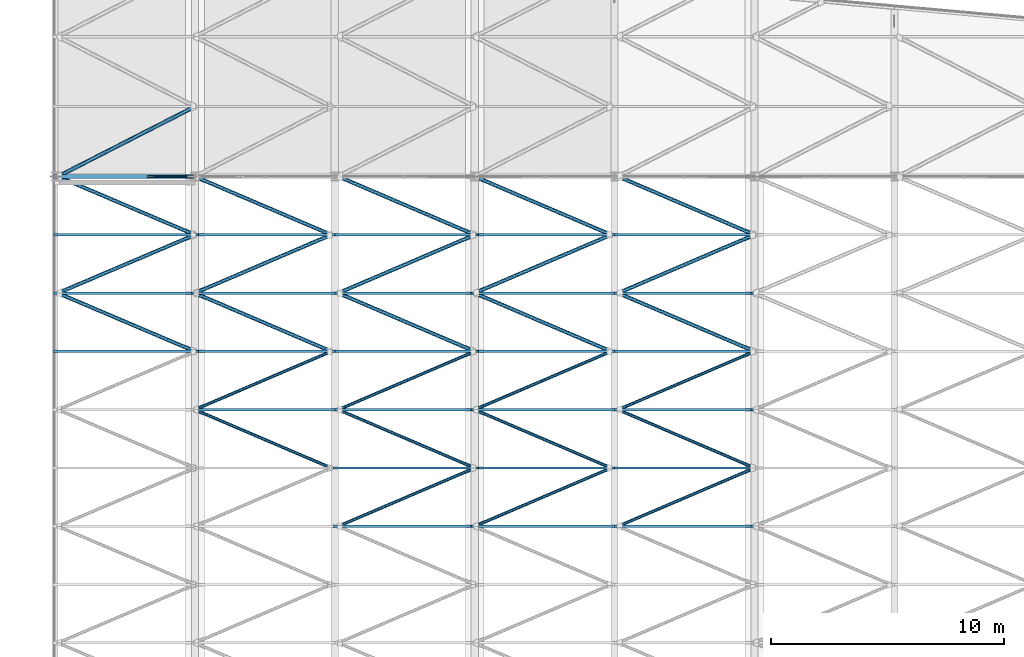
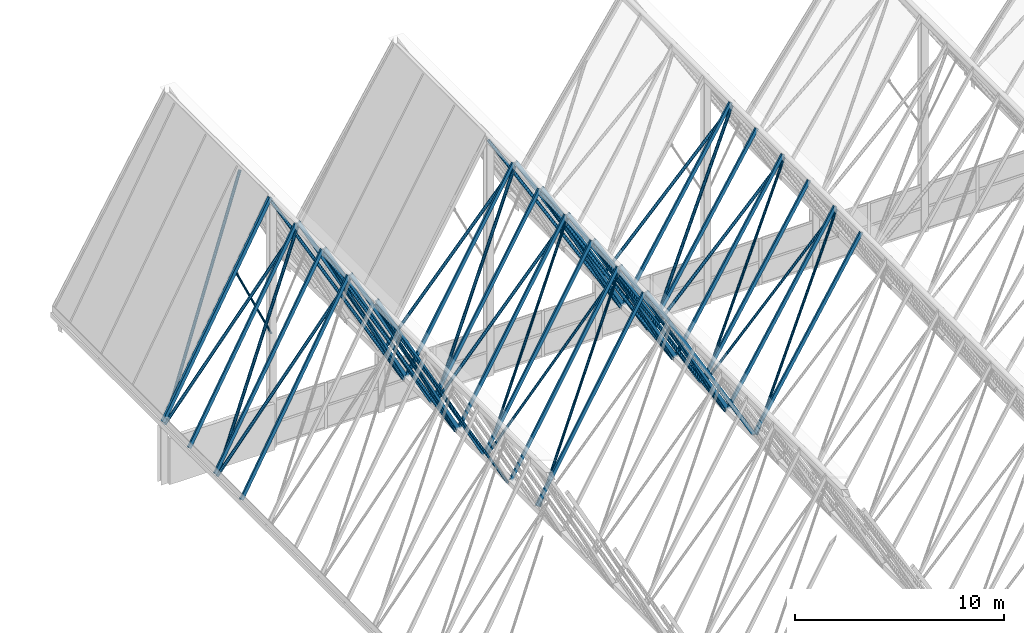
# One storey, part 19 of 483: 53 members, 1 beam.
"""IFC4 building model written with IfcOpenShell, lengths in metres."""

from ifc_helpers import new_model, si_unit, direction, frame, origin, origin_2d, place, context, subcontext, project, spatial, hollow_rectangle, hollow_circle, extrude, material, material_profile, profile_set, type_object, element, save


model = new_model("IFC4")

# Units and contexts
model_context = context("Model", 3, precision=1e-05, world=origin(), true_north=direction((0.0, 1.0)))
body_context = subcontext(model_context, "Body", "Model", "MODEL_VIEW")
ifc_project = project(units=[si_unit("LENGTHUNIT", "METRE"), si_unit("AREAUNIT", "SQUARE_METRE"), si_unit("VOLUMEUNIT", "CUBIC_METRE"), si_unit("PLANEANGLEUNIT", "RADIAN"), si_unit("MASSUNIT", "GRAM", prefix="KILO")], contexts=[model_context])

# Site, building, storey
site_placement = place(None, origin())
site = spatial("IfcSite", under=ifc_project, at=site_placement, CompositionType="ELEMENT")
building_placement = place(site_placement, origin())
building = spatial("IfcBuilding", under=site, at=building_placement, Name="Parallax Yard Mobility Hub", CompositionType="ELEMENT")
storey_placement = place(building_placement, frame((0.0, 0.0, 13.199951171875)))
storey = spatial("IfcBuildingStorey", under=building, at=storey_placement, Name="L04", CompositionType="ELEMENT", Elevation=13.199951171875)

# Members
ifc_material = material(Name="Steel ASTM A500 Gr C", Category="steel")
ifc_material_profile_1 = material_profile(ifc_material, hollow_circle(Radius=0.05712890625, WallThickness=0.006103515625, at=origin_2d()), Name="HSS114.3x6.0")
ifc_profile_set_1 = profile_set([ifc_material_profile_1], Name="Steel ASTM A500 Gr C")
member_type_1 = type_object("IfcMemberType", Name="Knee brace HSS114.3x6.0", PredefinedType="BRACE", material=ifc_profile_set_1)
member_1_placement = place(storey_placement, frame((15.0, 52.5, 6.60009765625), z_axis=(-0.41704909063, 0.0, 0.908883961793), x_axis=(0.0, -1.0, 0.0)))
element("IfcMember", 1, at=member_1_placement, inside=storey, type_object=member_type_1, Name="Gable knee brace F2 north west", PredefinedType="BRACE", context=body_context, shape_type="SweptSolid", body=[
    extrude(hollow_circle(Radius=0.05712890625, WallThickness=0.006103515625, at=origin_2d()), origin(), (0.0, 0.0, 1.0), 4.795654296875),
])
ifc_material_profile_2 = material_profile(ifc_material, hollow_circle(Radius=0.06982421875, WallThickness=0.00634765625, at=origin_2d()), Name="HSS139.7x6.4")
ifc_profile_set_2 = profile_set([ifc_material_profile_2], Name="Steel ASTM A500 Gr C")
member_type_2 = type_object("IfcMemberType", Name="Plate diagonal HSS139.7x6.4", PredefinedType="BRACE", material=ifc_profile_set_2)
member_2_placement = place(storey_placement, frame((27.0, 37.5, 13.671630859375), z_axis=(0.484498667157, 0.207133698718, -0.849915685452), x_axis=(-0.393103707527, 0.919494140888, 0.0)))
element("IfcMember", 2, at=member_2_placement, inside=storey, type_object=member_type_2, Name="Plate diagonal plate F4-F5 bay 13", PredefinedType="BRACE", context=body_context, shape_type="SweptSolid", body=[
    extrude(hollow_circle(Radius=0.06982421875, WallThickness=0.00634765625, at=origin_2d()), origin(), (0.0, 0.0, 1.0), 12.069580078125),
])
member_3_placement = place(storey_placement, frame((33.15234375, 37.5, 3.4130859375), z_axis=(0.507735199294, 0.217067820673, 0.833718494833), x_axis=(-0.393103707527, 0.919494140888, 0.0)))
element("IfcMember", 3, at=member_3_placement, inside=storey, type_object=member_type_2, Name="Plate diagonal plate F5-F6 bay 13", PredefinedType="BRACE", context=body_context, shape_type="SweptSolid", body=[
    extrude(hollow_circle(Radius=0.06982421875, WallThickness=0.00634765625, at=origin_2d()), origin(), (0.0, 0.0, 1.0), 11.51708984375),
])
for number, where, z_axis, x_axis, name in (
    (4, (21.15234375, 37.5, 3.41357421875), (0.484498667157, 0.207133698718, 0.849915685452), (-0.393103707527, 0.919494140888, 0.0), "Plate diagonal plate F3-F4 bay 13"),
    (5, (32.84765625, 40.0, 3.41357421875), (-0.484498667157, 0.207133698718, 0.849915685452), (-0.393103707527, -0.919494140888, 0.0), "Plate diagonal plate F4-F5 bay 14"),
):
    element("IfcMember", number, at=place(storey_placement, frame(where, z_axis=z_axis, x_axis=x_axis)), inside=storey, type_object=member_type_2, Name=name, PredefinedType="BRACE", context=body_context, shape_type="SweptSolid", body=[
        extrude(hollow_circle(Radius=0.06982421875, WallThickness=0.00634765625, at=origin_2d()), origin(), (0.0, 0.0, 1.0), 12.069580078125),
    ])
member_4_placement = place(storey_placement, frame((39.0, 40.0, 13.01513671875), z_axis=(-0.507735199294, 0.217067820673, -0.833718494833), x_axis=(-0.393103707527, -0.919494140888, 0.0)))
element("IfcMember", 6, at=member_4_placement, inside=storey, type_object=member_type_2, Name="Plate diagonal plate F5-F6 bay 14", PredefinedType="BRACE", context=body_context, shape_type="SweptSolid", body=[
    extrude(hollow_circle(Radius=0.06982421875, WallThickness=0.00634765625, at=origin_2d()), origin(), (0.0, 0.0, 1.0), 11.51708984375),
])
member_5_placement = place(storey_placement, frame((20.84765625, 40.0, 3.413818359375), z_axis=(-0.462901196047, 0.197900310935, 0.864035849736), x_axis=(-0.393103707527, -0.919494140888, 0.0)))
element("IfcMember", 7, at=member_5_placement, inside=storey, type_object=member_type_2, Name="Plate diagonal plate F2-F3 bay 14", PredefinedType="BRACE", context=body_context, shape_type="SweptSolid", body=[
    extrude(hollow_circle(Radius=0.06982421875, WallThickness=0.00634765625, at=origin_2d()), origin(), (0.0, 0.0, 1.0), 12.632568359375),
])
for number, where, z_axis, x_axis, name in (
    (8, (27.0, 40.0, 13.671630859375), (-0.484498667157, 0.207133698718, -0.849915685452), (-0.393103707527, -0.919494140888, 0.0), "Plate diagonal plate F3-F4 bay 14"),
    (9, (27.0, 42.5, 13.671630859375), (0.484498667157, 0.207133698718, -0.849915685452), (-0.393103707527, 0.919494140888, 0.0), "Plate diagonal plate F4-F5 bay 15"),
):
    element("IfcMember", number, at=place(storey_placement, frame(where, z_axis=z_axis, x_axis=x_axis)), inside=storey, type_object=member_type_2, Name=name, PredefinedType="BRACE", context=body_context, shape_type="SweptSolid", body=[
        extrude(hollow_circle(Radius=0.06982421875, WallThickness=0.00634765625, at=origin_2d()), origin(), (0.0, 0.0, 1.0), 12.069580078125),
    ])
member_6_placement = place(storey_placement, frame((33.15234375, 42.5, 3.4130859375), z_axis=(0.507735199294, 0.217067820673, 0.833718494833), x_axis=(-0.393103707527, 0.919494140888, 0.0)))
element("IfcMember", 10, at=member_6_placement, inside=storey, type_object=member_type_2, Name="Plate diagonal plate F5-F6 bay 15", PredefinedType="BRACE", context=body_context, shape_type="SweptSolid", body=[
    extrude(hollow_circle(Radius=0.06982421875, WallThickness=0.00634765625, at=origin_2d()), origin(), (0.0, 0.0, 1.0), 11.51708984375),
])
member_7_placement = place(storey_placement, frame((15.0, 42.5, 14.328857421875), z_axis=(0.462901196047, 0.197900310935, -0.864035849736), x_axis=(-0.393103707527, 0.919494140888, 0.0)))
element("IfcMember", 11, at=member_7_placement, inside=storey, type_object=member_type_2, Name="Plate diagonal plate F2-F3 bay 15", PredefinedType="BRACE", context=body_context, shape_type="SweptSolid", body=[
    extrude(hollow_circle(Radius=0.06982421875, WallThickness=0.00634765625, at=origin_2d()), origin(), (0.0, 0.0, 1.0), 12.632568359375),
])
member_8_placement = place(storey_placement, frame((21.15234375, 42.5, 3.41357421875), z_axis=(0.484498667157, 0.207133698718, 0.849915685452), x_axis=(-0.393103707527, 0.919494140888, 0.0)))
element("IfcMember", 12, at=member_8_placement, inside=storey, type_object=member_type_2, Name="Plate diagonal plate F3-F4 bay 15", PredefinedType="BRACE", context=body_context, shape_type="SweptSolid", body=[
    extrude(hollow_circle(Radius=0.06982421875, WallThickness=0.00634765625, at=origin_2d()), origin(), (0.0, 0.0, 1.0), 12.069580078125),
])
ifc_material_profile_3 = material_profile(ifc_material, hollow_circle(Radius=0.084228515625, WallThickness=0.007080078125, at=origin_2d()), Name="HSS168.3x7.1")
ifc_profile_set_3 = profile_set([ifc_material_profile_3], Name="Steel ASTM A500 Gr C")
member_type_3 = type_object("IfcMemberType", Name="Plate diagonal HSS168.3x7.1", PredefinedType="BRACE", material=ifc_profile_set_3)
member_9_placement = place(storey_placement, frame((32.84765625, 45.0, 3.41357421875), z_axis=(-0.484498667157, 0.207133698718, 0.849915685452), x_axis=(-0.393103707527, -0.919494140888, 0.0)))
element("IfcMember", 13, at=member_9_placement, inside=storey, type_object=member_type_3, Name="Plate diagonal plate F4-F5 bay 16", PredefinedType="BRACE", context=body_context, shape_type="SweptSolid", body=[
    extrude(hollow_circle(Radius=0.084228515625, WallThickness=0.007080078125, at=origin_2d()), origin(), (0.0, 0.0, 1.0), 12.069580078125),
])
member_10_placement = place(storey_placement, frame((39.0, 45.0, 13.01513671875), z_axis=(-0.507735199294, 0.217067820673, -0.833718494833), x_axis=(-0.393103707527, -0.919494140888, 0.0)))
element("IfcMember", 14, at=member_10_placement, inside=storey, type_object=member_type_3, Name="Plate diagonal plate F5-F6 bay 16", PredefinedType="BRACE", context=body_context, shape_type="SweptSolid", body=[
    extrude(hollow_circle(Radius=0.084228515625, WallThickness=0.007080078125, at=origin_2d()), origin(), (0.0, 0.0, 1.0), 11.51708984375),
])
member_11_placement = place(storey_placement, frame((15.0, 45.0, 14.328857421875), z_axis=(-0.462980370369, 0.19707844166, -0.864181268303), x_axis=(-0.391665406317, -0.920107716246, 0.0)))
element("IfcMember", 15, at=member_11_placement, inside=storey, type_object=member_type_3, Name="Plate diagonal plate F1-F2 bay 16", PredefinedType="BRACE", context=body_context, shape_type="SweptSolid", body=[
    extrude(hollow_circle(Radius=0.084228515625, WallThickness=0.007080078125, at=origin_2d()), origin(), (0.0, 0.0, 1.0), 12.685302734375),
])
member_12_placement = place(storey_placement, frame((20.84765625, 45.0, 3.413818359375), z_axis=(-0.462901196047, 0.197900310935, 0.864035849736), x_axis=(-0.393103707527, -0.919494140888, 0.0)))
element("IfcMember", 16, at=member_12_placement, inside=storey, type_object=member_type_3, Name="Plate diagonal plate F2-F3 bay 16", PredefinedType="BRACE", context=body_context, shape_type="SweptSolid", body=[
    extrude(hollow_circle(Radius=0.084228515625, WallThickness=0.007080078125, at=origin_2d()), origin(), (0.0, 0.0, 1.0), 12.632568359375),
])
for number, where, z_axis, x_axis, name in (
    (17, (27.0, 45.0, 13.671630859375), (-0.484498667157, 0.207133698718, -0.849915685452), (-0.393103707527, -0.919494140888, 0.0), "Plate diagonal plate F3-F4 bay 16"),
    (18, (27.0, 47.5, 13.671630859375), (0.484498667157, 0.207133698718, -0.849915685452), (-0.393103707527, 0.919494140888, 0.0), "Plate diagonal plate F4-F5 bay 17"),
):
    element("IfcMember", number, at=place(storey_placement, frame(where, z_axis=z_axis, x_axis=x_axis)), inside=storey, type_object=member_type_3, Name=name, PredefinedType="BRACE", context=body_context, shape_type="SweptSolid", body=[
        extrude(hollow_circle(Radius=0.084228515625, WallThickness=0.007080078125, at=origin_2d()), origin(), (0.0, 0.0, 1.0), 12.069580078125),
    ])
member_13_placement = place(storey_placement, frame((33.15234375, 47.5, 3.4130859375), z_axis=(0.507735199294, 0.217067820673, 0.833718494833), x_axis=(-0.393103707527, 0.919494140888, 0.0)))
element("IfcMember", 19, at=member_13_placement, inside=storey, type_object=member_type_3, Name="Plate diagonal plate F5-F6 bay 17", PredefinedType="BRACE", context=body_context, shape_type="SweptSolid", body=[
    extrude(hollow_circle(Radius=0.084228515625, WallThickness=0.007080078125, at=origin_2d()), origin(), (0.0, 0.0, 1.0), 11.51708984375),
])
member_14_placement = place(storey_placement, frame((9.126953125, 47.5, 3.366455078125), z_axis=(0.462980370369, 0.19707844166, 0.864181268303), x_axis=(-0.391665406317, 0.920107716246, 0.0)))
element("IfcMember", 20, at=member_14_placement, inside=storey, type_object=member_type_3, Name="Plate diagonal plate F1-F2 bay 17", PredefinedType="BRACE", context=body_context, shape_type="SweptSolid", body=[
    extrude(hollow_circle(Radius=0.084228515625, WallThickness=0.007080078125, at=origin_2d()), origin(), (0.0, 0.0, 1.0), 12.685302734375),
])
member_15_placement = place(storey_placement, frame((15.0, 47.5, 14.328857421875), z_axis=(0.462901196047, 0.197900310935, -0.864035849736), x_axis=(-0.393103707527, 0.919494140888, 0.0)))
element("IfcMember", 21, at=member_15_placement, inside=storey, type_object=member_type_3, Name="Plate diagonal plate F2-F3 bay 17", PredefinedType="BRACE", context=body_context, shape_type="SweptSolid", body=[
    extrude(hollow_circle(Radius=0.084228515625, WallThickness=0.007080078125, at=origin_2d()), origin(), (0.0, 0.0, 1.0), 12.632568359375),
])
for number, where, z_axis, x_axis, name in (
    (22, (21.15234375, 47.5, 3.41357421875), (0.484498667157, 0.207133698718, 0.849915685452), (-0.393103707527, 0.919494140888, 0.0), "Plate diagonal plate F3-F4 bay 17"),
    (23, (32.84765625, 50.0, 3.41357421875), (-0.484498667157, 0.207133698718, 0.849915685452), (-0.393103707527, -0.919494140888, 0.0), "Plate diagonal plate F4-F5 bay 18"),
):
    element("IfcMember", number, at=place(storey_placement, frame(where, z_axis=z_axis, x_axis=x_axis)), inside=storey, type_object=member_type_3, Name=name, PredefinedType="BRACE", context=body_context, shape_type="SweptSolid", body=[
        extrude(hollow_circle(Radius=0.084228515625, WallThickness=0.007080078125, at=origin_2d()), origin(), (0.0, 0.0, 1.0), 12.069580078125),
    ])
member_16_placement = place(storey_placement, frame((39.0, 50.0, 13.01513671875), z_axis=(-0.507735199294, 0.217067820673, -0.833718494833), x_axis=(-0.393103707527, -0.919494140888, 0.0)))
element("IfcMember", 24, at=member_16_placement, inside=storey, type_object=member_type_3, Name="Plate diagonal plate F5-F6 bay 18", PredefinedType="BRACE", context=body_context, shape_type="SweptSolid", body=[
    extrude(hollow_circle(Radius=0.084228515625, WallThickness=0.007080078125, at=origin_2d()), origin(), (0.0, 0.0, 1.0), 11.51708984375),
])
member_17_placement = place(storey_placement, frame((15.0, 50.0, 14.328857421875), z_axis=(-0.462980370369, 0.19707844166, -0.864181268303), x_axis=(-0.391665406317, -0.920107716246, 0.0)))
element("IfcMember", 25, at=member_17_placement, inside=storey, type_object=member_type_3, Name="Plate diagonal plate F1-F2 bay 18", PredefinedType="BRACE", context=body_context, shape_type="SweptSolid", body=[
    extrude(hollow_circle(Radius=0.084228515625, WallThickness=0.007080078125, at=origin_2d()), origin(), (0.0, 0.0, 1.0), 12.685302734375),
])
member_18_placement = place(storey_placement, frame((20.84765625, 50.0, 3.413818359375), z_axis=(-0.462901196047, 0.197900310935, 0.864035849736), x_axis=(-0.393103707527, -0.919494140888, 0.0)))
element("IfcMember", 26, at=member_18_placement, inside=storey, type_object=member_type_3, Name="Plate diagonal plate F2-F3 bay 18", PredefinedType="BRACE", context=body_context, shape_type="SweptSolid", body=[
    extrude(hollow_circle(Radius=0.084228515625, WallThickness=0.007080078125, at=origin_2d()), origin(), (0.0, 0.0, 1.0), 12.632568359375),
])
member_19_placement = place(storey_placement, frame((27.0, 50.0, 13.671630859375), z_axis=(-0.484498667157, 0.207133698718, -0.849915685452), x_axis=(-0.393103707527, -0.919494140888, 0.0)))
element("IfcMember", 27, at=member_19_placement, inside=storey, type_object=member_type_3, Name="Plate diagonal plate F3-F4 bay 18", PredefinedType="BRACE", context=body_context, shape_type="SweptSolid", body=[
    extrude(hollow_circle(Radius=0.084228515625, WallThickness=0.007080078125, at=origin_2d()), origin(), (0.0, 0.0, 1.0), 12.069580078125),
])
member_20_placement = place(storey_placement, frame((9.126953125, 52.5, 3.366455078125), z_axis=(0.459074298738, 0.234498876908, 0.856890345941), x_axis=(-0.454897103972, 0.890544004976, 0.0)))
element("IfcMember", 28, at=member_20_placement, inside=storey, type_object=member_type_3, Name="Plate diagonal plate F1-F2 bay 19", PredefinedType="BRACE", context=body_context, shape_type="SweptSolid", body=[
    extrude(hollow_circle(Radius=0.084228515625, WallThickness=0.007080078125, at=origin_2d()), origin(), (0.0, 0.0, 1.0), 12.793212890625),
])

# Beam
ifc_material_profile_4 = material_profile(ifc_material, hollow_rectangle(XDim=0.15234375, YDim=0.203125, WallThickness=0.009521484375, at=origin_2d()), Name="HSS203x152x9.5")
ifc_profile_set_4 = profile_set([ifc_material_profile_4], Name="Steel ASTM A500 Gr C")
beam_type = type_object("IfcBeamType", Name="Roof edge beam HSS203x152x9.5", PredefinedType="SPANDREL", material=ifc_profile_set_4)
beam_placement = place(storey_placement, frame((9.01953125, 52.5, 3.529052734375), z_axis=(0.472246823162, 0.0, 0.881466356711), x_axis=(0.0, 1.0, 0.0)))
element("IfcBeam", 29, at=beam_placement, inside=storey, type_object=beam_type, Name="Edge beam plate F1-F2 north gable", PredefinedType="SPANDREL", context=body_context, shape_type="SweptSolid", body=[
    extrude(hollow_rectangle(XDim=0.15234375, YDim=0.203125, WallThickness=0.009521484375, at=origin_2d()), origin(), (0.0, 0.0, 1.0), 12.531005859375),
])

# Members
ifc_material_profile_5 = material_profile(ifc_material, hollow_rectangle(XDim=0.1015625, YDim=0.203125, WallThickness=0.00634765625, at=origin_2d()), Name="HSS203x102x6.4")
ifc_profile_set_5 = profile_set([ifc_material_profile_5], Name="Steel ASTM A500 Gr C")
member_type_4 = type_object("IfcMemberType", Name="Roof rafter HSS203x102x6.4", PredefinedType="RAFTER", material=ifc_profile_set_5)
for number, where, z_axis, x_axis, name in (
    (30, (21.018310546875, 37.5, 3.5244140625), (0.495218927733, 0.0, 0.868768216278), (0.0, 1.0, 0.0), "Roof rafter plate F3-F4 at y 37.5"),
    (31, (27.064208984375, 37.5, 13.905517578125), (0.495218927733, 0.0, -0.868768216278), (0.0, 1.0, 0.0), "Roof rafter plate F4-F5 at y 37.5"),
):
    element("IfcMember", number, at=place(storey_placement, frame(where, z_axis=z_axis, x_axis=x_axis)), inside=storey, type_object=member_type_4, Name=name, PredefinedType="RAFTER", context=body_context, shape_type="SweptSolid", body=[
        extrude(hollow_rectangle(XDim=0.1015625, YDim=0.203125, WallThickness=0.00634765625, at=origin_2d()), origin(), (0.0, 0.0, 1.0), 11.94921875),
    ])
member_21_placement = place(storey_placement, frame((33.016845703125, 37.5, 3.52001953125), z_axis=(0.520123935721, 0.0, 0.854090798153), x_axis=(0.0, 1.0, 0.0)))
element("IfcMember", 32, at=member_21_placement, inside=storey, type_object=member_type_4, Name="Roof rafter plate F5-F6 at y 37.5", PredefinedType="RAFTER", context=body_context, shape_type="SweptSolid", body=[
    extrude(hollow_rectangle(XDim=0.1015625, YDim=0.203125, WallThickness=0.00634765625, at=origin_2d()), origin(), (0.0, 0.0, 1.0), 11.376953125),
])
for number, where, z_axis, x_axis, name in (
    (33, (21.018310546875, 40.0, 3.5244140625), (0.495218927733, 0.0, 0.868768216278), (0.0, 1.0, 0.0), "Roof rafter plate F3-F4 at y 40"),
    (34, (27.064208984375, 40.0, 13.905517578125), (0.495218927733, 0.0, -0.868768216278), (0.0, 1.0, 0.0), "Roof rafter plate F4-F5 at y 40"),
):
    element("IfcMember", number, at=place(storey_placement, frame(where, z_axis=z_axis, x_axis=x_axis)), inside=storey, type_object=member_type_4, Name=name, PredefinedType="RAFTER", context=body_context, shape_type="SweptSolid", body=[
        extrude(hollow_rectangle(XDim=0.1015625, YDim=0.203125, WallThickness=0.00634765625, at=origin_2d()), origin(), (0.0, 0.0, 1.0), 11.94921875),
    ])
member_22_placement = place(storey_placement, frame((33.016845703125, 40.0, 3.52001953125), z_axis=(0.520123935721, 0.0, 0.854090798153), x_axis=(0.0, 1.0, 0.0)))
element("IfcMember", 35, at=member_22_placement, inside=storey, type_object=member_type_4, Name="Roof rafter plate F5-F6 at y 40", PredefinedType="RAFTER", context=body_context, shape_type="SweptSolid", body=[
    extrude(hollow_rectangle(XDim=0.1015625, YDim=0.203125, WallThickness=0.00634765625, at=origin_2d()), origin(), (0.0, 0.0, 1.0), 11.376953125),
])
member_23_placement = place(storey_placement, frame((15.062744140625, 42.5, 14.57470703125), z_axis=(0.472246823162, 0.0, -0.881466356711), x_axis=(0.0, 1.0, 0.0)))
element("IfcMember", 36, at=member_23_placement, inside=storey, type_object=member_type_4, Name="Roof rafter plate F2-F3 at y 42.5", PredefinedType="RAFTER", context=body_context, shape_type="SweptSolid", body=[
    extrude(hollow_rectangle(XDim=0.1015625, YDim=0.203125, WallThickness=0.00634765625, at=origin_2d()), origin(), (0.0, 0.0, 1.0), 12.531005859375),
])
for number, where, z_axis, x_axis, name in (
    (37, (21.018310546875, 42.5, 3.5244140625), (0.495218927733, 0.0, 0.868768216278), (0.0, 1.0, 0.0), "Roof rafter plate F3-F4 at y 42.5"),
    (38, (27.064208984375, 42.5, 13.905517578125), (0.495218927733, 0.0, -0.868768216278), (0.0, 1.0, 0.0), "Roof rafter plate F4-F5 at y 42.5"),
):
    element("IfcMember", number, at=place(storey_placement, frame(where, z_axis=z_axis, x_axis=x_axis)), inside=storey, type_object=member_type_4, Name=name, PredefinedType="RAFTER", context=body_context, shape_type="SweptSolid", body=[
        extrude(hollow_rectangle(XDim=0.1015625, YDim=0.203125, WallThickness=0.00634765625, at=origin_2d()), origin(), (0.0, 0.0, 1.0), 11.94921875),
    ])
member_24_placement = place(storey_placement, frame((33.016845703125, 42.5, 3.52001953125), z_axis=(0.520123935721, 0.0, 0.854090798153), x_axis=(0.0, 1.0, 0.0)))
element("IfcMember", 39, at=member_24_placement, inside=storey, type_object=member_type_4, Name="Roof rafter plate F5-F6 at y 42.5", PredefinedType="RAFTER", context=body_context, shape_type="SweptSolid", body=[
    extrude(hollow_rectangle(XDim=0.1015625, YDim=0.203125, WallThickness=0.00634765625, at=origin_2d()), origin(), (0.0, 0.0, 1.0), 11.376953125),
])
for number, where, z_axis, x_axis, name in (
    (40, (9.01953125, 45.0, 3.529052734375), (0.472246823162, 0.0, 0.881466356711), (0.0, 1.0, 0.0), "Roof rafter plate F1-F2 at y 45"),
    (41, (15.062744140625, 45.0, 14.57470703125), (0.472246823162, 0.0, -0.881466356711), (0.0, 1.0, 0.0), "Roof rafter plate F2-F3 at y 45"),
):
    element("IfcMember", number, at=place(storey_placement, frame(where, z_axis=z_axis, x_axis=x_axis)), inside=storey, type_object=member_type_4, Name=name, PredefinedType="RAFTER", context=body_context, shape_type="SweptSolid", body=[
        extrude(hollow_rectangle(XDim=0.1015625, YDim=0.203125, WallThickness=0.00634765625, at=origin_2d()), origin(), (0.0, 0.0, 1.0), 12.531005859375),
    ])
for number, where, z_axis, x_axis, name in (
    (42, (21.018310546875, 45.0, 3.5244140625), (0.495218927733, 0.0, 0.868768216278), (0.0, 1.0, 0.0), "Roof rafter plate F3-F4 at y 45"),
    (43, (27.064208984375, 45.0, 13.905517578125), (0.495218927733, 0.0, -0.868768216278), (0.0, 1.0, 0.0), "Roof rafter plate F4-F5 at y 45"),
):
    element("IfcMember", number, at=place(storey_placement, frame(where, z_axis=z_axis, x_axis=x_axis)), inside=storey, type_object=member_type_4, Name=name, PredefinedType="RAFTER", context=body_context, shape_type="SweptSolid", body=[
        extrude(hollow_rectangle(XDim=0.1015625, YDim=0.203125, WallThickness=0.00634765625, at=origin_2d()), origin(), (0.0, 0.0, 1.0), 11.94921875),
    ])
member_25_placement = place(storey_placement, frame((33.016845703125, 45.0, 3.52001953125), z_axis=(0.520123935721, 0.0, 0.854090798153), x_axis=(0.0, 1.0, 0.0)))
element("IfcMember", 44, at=member_25_placement, inside=storey, type_object=member_type_4, Name="Roof rafter plate F5-F6 at y 45", PredefinedType="RAFTER", context=body_context, shape_type="SweptSolid", body=[
    extrude(hollow_rectangle(XDim=0.1015625, YDim=0.203125, WallThickness=0.00634765625, at=origin_2d()), origin(), (0.0, 0.0, 1.0), 11.376953125),
])
for number, where, z_axis, x_axis, name in (
    (45, (9.01953125, 47.5, 3.529052734375), (0.472246823162, 0.0, 0.881466356711), (0.0, 1.0, 0.0), "Roof rafter plate F1-F2 at y 47.5"),
    (46, (15.062744140625, 47.5, 14.57470703125), (0.472246823162, 0.0, -0.881466356711), (0.0, 1.0, 0.0), "Roof rafter plate F2-F3 at y 47.5"),
):
    element("IfcMember", number, at=place(storey_placement, frame(where, z_axis=z_axis, x_axis=x_axis)), inside=storey, type_object=member_type_4, Name=name, PredefinedType="RAFTER", context=body_context, shape_type="SweptSolid", body=[
        extrude(hollow_rectangle(XDim=0.1015625, YDim=0.203125, WallThickness=0.00634765625, at=origin_2d()), origin(), (0.0, 0.0, 1.0), 12.531005859375),
    ])
for number, where, z_axis, x_axis, name in (
    (47, (21.018310546875, 47.5, 3.5244140625), (0.495218927733, 0.0, 0.868768216278), (0.0, 1.0, 0.0), "Roof rafter plate F3-F4 at y 47.5"),
    (48, (27.064208984375, 47.5, 13.905517578125), (0.495218927733, 0.0, -0.868768216278), (0.0, 1.0, 0.0), "Roof rafter plate F4-F5 at y 47.5"),
):
    element("IfcMember", number, at=place(storey_placement, frame(where, z_axis=z_axis, x_axis=x_axis)), inside=storey, type_object=member_type_4, Name=name, PredefinedType="RAFTER", context=body_context, shape_type="SweptSolid", body=[
        extrude(hollow_rectangle(XDim=0.1015625, YDim=0.203125, WallThickness=0.00634765625, at=origin_2d()), origin(), (0.0, 0.0, 1.0), 11.94921875),
    ])
member_26_placement = place(storey_placement, frame((33.016845703125, 47.5, 3.52001953125), z_axis=(0.520123935721, 0.0, 0.854090798153), x_axis=(0.0, 1.0, 0.0)))
element("IfcMember", 49, at=member_26_placement, inside=storey, type_object=member_type_4, Name="Roof rafter plate F5-F6 at y 47.5", PredefinedType="RAFTER", context=body_context, shape_type="SweptSolid", body=[
    extrude(hollow_rectangle(XDim=0.1015625, YDim=0.203125, WallThickness=0.00634765625, at=origin_2d()), origin(), (0.0, 0.0, 1.0), 11.376953125),
])
for number, where, z_axis, x_axis, name in (
    (50, (9.01953125, 50.0, 3.529052734375), (0.472246823162, 0.0, 0.881466356711), (0.0, 1.0, 0.0), "Roof rafter plate F1-F2 at y 50"),
    (51, (15.062744140625, 50.0, 14.57470703125), (0.472246823162, 0.0, -0.881466356711), (0.0, 1.0, 0.0), "Roof rafter plate F2-F3 at y 50"),
):
    element("IfcMember", number, at=place(storey_placement, frame(where, z_axis=z_axis, x_axis=x_axis)), inside=storey, type_object=member_type_4, Name=name, PredefinedType="RAFTER", context=body_context, shape_type="SweptSolid", body=[
        extrude(hollow_rectangle(XDim=0.1015625, YDim=0.203125, WallThickness=0.00634765625, at=origin_2d()), origin(), (0.0, 0.0, 1.0), 12.531005859375),
    ])
for number, where, z_axis, x_axis, name in (
    (52, (21.018310546875, 50.0, 3.5244140625), (0.495218927733, 0.0, 0.868768216278), (0.0, 1.0, 0.0), "Roof rafter plate F3-F4 at y 50"),
    (53, (27.064208984375, 50.0, 13.905517578125), (0.495218927733, 0.0, -0.868768216278), (0.0, 1.0, 0.0), "Roof rafter plate F4-F5 at y 50"),
):
    element("IfcMember", number, at=place(storey_placement, frame(where, z_axis=z_axis, x_axis=x_axis)), inside=storey, type_object=member_type_4, Name=name, PredefinedType="RAFTER", context=body_context, shape_type="SweptSolid", body=[
        extrude(hollow_rectangle(XDim=0.1015625, YDim=0.203125, WallThickness=0.00634765625, at=origin_2d()), origin(), (0.0, 0.0, 1.0), 11.94921875),
    ])
member_27_placement = place(storey_placement, frame((33.016845703125, 50.0, 3.52001953125), z_axis=(0.520123935721, 0.0, 0.854090798153), x_axis=(0.0, 1.0, 0.0)))
element("IfcMember", 54, at=member_27_placement, inside=storey, type_object=member_type_4, Name="Roof rafter plate F5-F6 at y 50", PredefinedType="RAFTER", context=body_context, shape_type="SweptSolid", body=[
    extrude(hollow_rectangle(XDim=0.1015625, YDim=0.203125, WallThickness=0.00634765625, at=origin_2d()), origin(), (0.0, 0.0, 1.0), 11.376953125),
])

save(model, "model.ifc")
